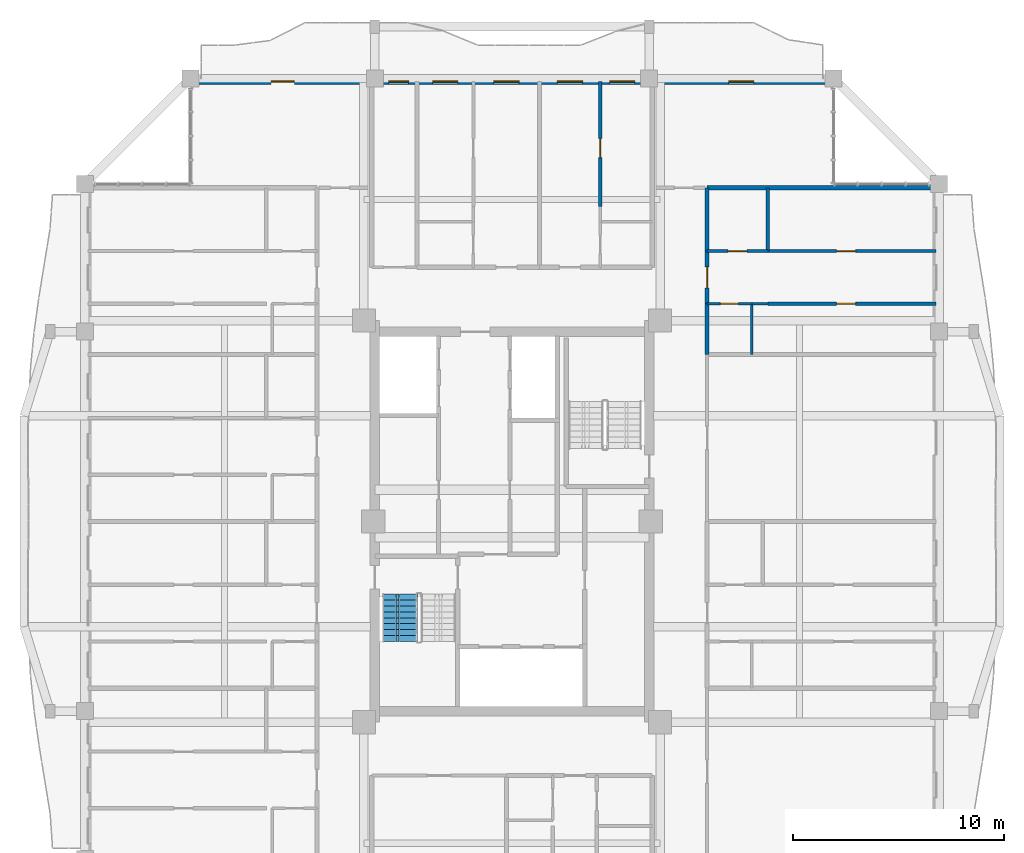
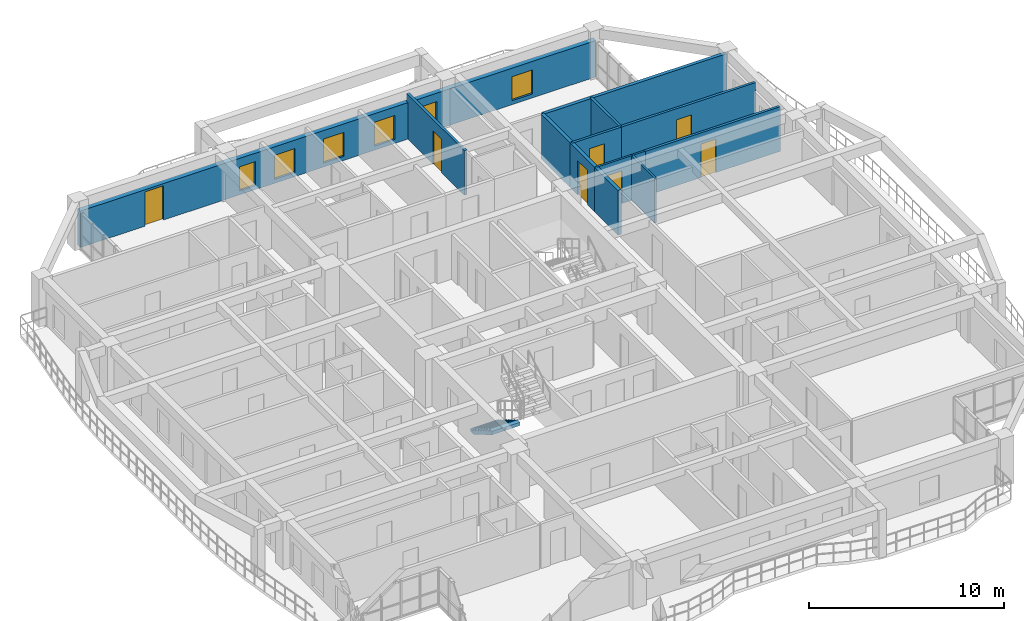
# One storey, part 15 of 21: 13 walls, 7 doors, 6 windows, 1 stair flight, 13 openings, 1 element without a shape of its own.
"""IFC4 building model written with IfcOpenShell, lengths in metres."""

from ifc_helpers import new_model, si_unit, direction, frame, frame_2d, origin, place, context, subcontext, project, spatial, polyline, rectangle, outline, extrude, source, transform, mapped, material, layer, layer_set, type_object, element, fill, aggregate, save


model = new_model("IFC4")

# Units and contexts
model_context = context("Model", 3, precision=1e-05, world=origin(), true_north=direction((0.0, 1.0)))
body_context = subcontext(model_context, "Body", "Model", "MODEL_VIEW")
ifc_project = project(units=[si_unit("LENGTHUNIT", "METRE"), si_unit("AREAUNIT", "SQUARE_METRE"), si_unit("VOLUMEUNIT", "CUBIC_METRE"), si_unit("PLANEANGLEUNIT", "RADIAN"), si_unit("MASSUNIT", "GRAM", prefix="KILO")], contexts=[model_context])

# Site, building, storey
site_placement = place(None, origin())
site = spatial("IfcSite", under=ifc_project, at=site_placement, CompositionType="ELEMENT")
building_placement = place(site_placement, origin())
building = spatial("IfcBuilding", under=site, at=building_placement, Name="Saelheon Loggia Tower", CompositionType="ELEMENT")
storey_placement = place(building_placement, frame((0.0, 0.0, 186.699951171875)))
storey = spatial("IfcBuildingStorey", under=building, at=storey_placement, Name="L58", CompositionType="ELEMENT", Elevation=186.699951171875)

# Wall, openings, windows, door
ifc_material_1 = material(Name="Architectural Precast Concrete C40/50", Category="concrete")
ifc_layer_1 = layer(ifc_material_1, 0.280029296875)
ifc_layer_set_1 = layer_set([ifc_layer_1], Name="Architectural Precast Concrete C40/50")
wall_type_1 = type_object("IfcWallType", Name="Wall_Ext_Loggia_280", PredefinedType="SOLIDWALL", material=ifc_layer_set_1)
wall_1_placement = place(storey_placement, frame((22.75, 47.860107421875, 0.0), z_axis=(0.0, 0.0, 1.0), x_axis=(1.0, 0.0, 0.0)))
wall_1 = element("IfcWall", 1, at=wall_1_placement, inside=storey, type_object=wall_type_1, Name="L58 North Loggia Inner Wall", PredefinedType="SOLIDWALL", context=body_context, shape_type="SweptSolid", body=[
    extrude(rectangle(XDim=30.5, YDim=0.280029296875, at=frame_2d((15.25, 0.0))), origin(), (0.0, 0.0, 1.0), 2.280029296875),
])
opening_1_placement = place(wall_1_placement, frame((3.824951171875, 0.0, 0.0)))
opening_1 = element("IfcOpeningElement", 2, at=opening_1_placement, cuts=wall_1, Name="Opening TD1", PredefinedType="OPENING", context=body_context, shape_type="SweptSolid", body=[
    extrude(rectangle(XDim=1.10009765625, YDim=2.14990234375, at=frame_2d((0.550048828125, 1.074951171875))), frame((0.0, 0.152099609375, 0.0), z_axis=(0.0, -1.0, 0.0), x_axis=(1.0, 0.0, 0.0)), (0.0, 0.0, 1.0), 0.303955078125),
])
opening_2_placement = place(wall_1_placement, frame((9.39501953125, 0.0, 0.25)))
opening_2 = element("IfcOpeningElement", 3, at=opening_2_placement, cuts=wall_1, Name="Opening WN-04", PredefinedType="OPENING", context=body_context, shape_type="SweptSolid", body=[
    extrude(rectangle(XDim=0.949951171875, YDim=1.5, at=frame_2d((0.47509765625, 0.75))), frame((0.0, 0.152099609375, 0.0), z_axis=(0.0, -1.0, 0.0), x_axis=(1.0, 0.0, 0.0)), (0.0, 0.0, 1.0), 0.303955078125),
])
opening_3_placement = place(wall_1_placement, frame((11.4833984375, 0.0, 0.25)))
opening_3 = element("IfcOpeningElement", 4, at=opening_3_placement, cuts=wall_1, Name="Opening WN-03", PredefinedType="OPENING", context=body_context, shape_type="SweptSolid", body=[
    extrude(rectangle(XDim=1.199951171875, YDim=1.5, at=frame_2d((0.60009765625, 0.75))), frame((0.0, 0.152099609375, 0.0), z_axis=(0.0, -1.0, 0.0), x_axis=(1.0, 0.0, 0.0)), (0.0, 0.0, 1.0), 0.303955078125),
])
opening_4_placement = place(wall_1_placement, frame((14.382568359375, 0.0, 0.25)))
opening_4 = element("IfcOpeningElement", 5, at=opening_4_placement, cuts=wall_1, Name="Opening WN-03", PredefinedType="OPENING", context=body_context, shape_type="SweptSolid", body=[
    extrude(rectangle(XDim=1.199951171875, YDim=1.5, at=frame_2d((0.60009765625, 0.75))), frame((0.0, 0.152099609375, 0.0), z_axis=(0.0, -1.0, 0.0), x_axis=(1.0, 0.0, 0.0)), (0.0, 0.0, 1.0), 0.303955078125),
])
opening_5_placement = place(wall_1_placement, frame((17.39306640625, 0.0, 0.25)))
opening_5 = element("IfcOpeningElement", 6, at=opening_5_placement, cuts=wall_1, Name="Opening WN-03", PredefinedType="OPENING", context=body_context, shape_type="SweptSolid", body=[
    extrude(rectangle(XDim=1.199951171875, YDim=1.5, at=frame_2d((0.60009765625, 0.75))), frame((0.0, 0.152099609375, 0.0), z_axis=(0.0, -1.0, 0.0), x_axis=(1.0, 0.0, 0.0)), (0.0, 0.0, 1.0), 0.303955078125),
])
opening_6_placement = place(wall_1_placement, frame((19.8740234375, 0.0, 0.25)))
opening_6 = element("IfcOpeningElement", 7, at=opening_6_placement, cuts=wall_1, Name="Opening WN-03", PredefinedType="OPENING", context=body_context, shape_type="SweptSolid", body=[
    extrude(rectangle(XDim=1.199951171875, YDim=1.5, at=frame_2d((0.60009765625, 0.75))), frame((0.0, 0.152099609375, 0.0), z_axis=(0.0, -1.0, 0.0), x_axis=(1.0, 0.0, 0.0)), (0.0, 0.0, 1.0), 0.303955078125),
])
opening_7_placement = place(wall_1_placement, frame((25.52490234375, 0.0, 0.25)))
opening_7 = element("IfcOpeningElement", 8, at=opening_7_placement, cuts=wall_1, Name="Opening WN-03", PredefinedType="OPENING", context=body_context, shape_type="SweptSolid", body=[
    extrude(rectangle(XDim=1.199951171875, YDim=1.5, at=frame_2d((0.60009765625, 0.75))), frame((0.0, 0.152099609375, 0.0), z_axis=(0.0, -1.0, 0.0), x_axis=(1.0, 0.0, 0.0)), (0.0, 0.0, 1.0), 0.303955078125),
])
ifc_material_2 = material(Name="Thermal-Break Aluminium and Triple Low-E Glass", Category="aluminium")
window_type_1 = type_object("IfcWindowType", Name="Win_Bedroom_1200x1500", PartitioningType="SINGLE_PANEL", PredefinedType="WINDOW", material=ifc_material_2)
shared_shape_1 = source(origin(), body_context, "Body", "SweptSolid", [
    extrude(rectangle(XDim=1.199951171875, YDim=1.5, at=frame_2d((0.60009765625, 0.75))), frame((0.0, 0.030029296875, 0.0), z_axis=(0.0, -1.0, 0.0), x_axis=(1.0, 0.0, 0.0)), (0.0, 0.0, 1.0), 0.06005859375),
])
window_1_placement = place(opening_3_placement, origin())
window_1 = element("IfcWindow", 9, at=window_1_placement, inside=storey, type_object=window_type_1, Name="L58 N Dwelling Window 3", OverallHeight=1.5, OverallWidth=1.199951171875, PartitioningType="SINGLE_PANEL", PredefinedType="WINDOW", context=body_context, shape_type="MappedRepresentation", body=[
    mapped(shared_shape_1, transform((0.0, 0.0, 0.0), scale=1.0)),
])
fill(opening_3, window_1)
window_2_placement = place(opening_4_placement, origin())
window_2 = element("IfcWindow", 10, at=window_2_placement, inside=storey, type_object=window_type_1, Name="L58 N Dwelling Window 4", OverallHeight=1.5, OverallWidth=1.199951171875, PartitioningType="SINGLE_PANEL", PredefinedType="WINDOW", context=body_context, shape_type="MappedRepresentation", body=[
    mapped(shared_shape_1, transform((0.0, 0.0, 0.0), scale=1.0)),
])
fill(opening_4, window_2)
window_3_placement = place(opening_5_placement, origin())
window_3 = element("IfcWindow", 11, at=window_3_placement, inside=storey, type_object=window_type_1, Name="L58 N Dwelling Window 5", OverallHeight=1.5, OverallWidth=1.199951171875, PartitioningType="SINGLE_PANEL", PredefinedType="WINDOW", context=body_context, shape_type="MappedRepresentation", body=[
    mapped(shared_shape_1, transform((0.0, 0.0, 0.0), scale=1.0)),
])
fill(opening_5, window_3)
window_4_placement = place(opening_6_placement, origin())
window_4 = element("IfcWindow", 12, at=window_4_placement, inside=storey, type_object=window_type_1, Name="L58 N Dwelling Window 6", OverallHeight=1.5, OverallWidth=1.199951171875, PartitioningType="SINGLE_PANEL", PredefinedType="WINDOW", context=body_context, shape_type="MappedRepresentation", body=[
    mapped(shared_shape_1, transform((0.0, 0.0, 0.0), scale=1.0)),
])
fill(opening_6, window_4)
window_5_placement = place(opening_7_placement, origin())
window_5 = element("IfcWindow", 13, at=window_5_placement, inside=storey, type_object=window_type_1, Name="L58 N Dwelling Window 7", OverallHeight=1.5, OverallWidth=1.199951171875, PartitioningType="SINGLE_PANEL", PredefinedType="WINDOW", context=body_context, shape_type="MappedRepresentation", body=[
    mapped(shared_shape_1, transform((0.0, 0.0, 0.0), scale=1.0)),
])
fill(opening_7, window_5)
ifc_material_3 = material(Name="Thermal-Break Aluminium Glazed Door", Category="aluminium")
door_type_1 = type_object("IfcDoorType", Name="Door_Terrace_TD1", OperationType="NOTDEFINED", PredefinedType="DOOR", material=ifc_material_3)
shared_shape_2 = source(origin(), body_context, "Body", "SweptSolid", [
    extrude(rectangle(XDim=1.10009765625, YDim=2.14990234375, at=frame_2d((0.550048828125, 1.074951171875))), frame((0.0, 0.02490234375, 0.0), z_axis=(0.0, -1.0, 0.0), x_axis=(1.0, 0.0, 0.0)), (0.0, 0.0, 1.0), 0.050048828125),
])
door_1_placement = place(opening_1_placement, origin())
door_1 = element("IfcDoor", 14, at=door_1_placement, inside=storey, type_object=door_type_1, Name="L58 N Loggia Access Door", OperationType="SINGLE_SWING_LEFT", OverallHeight=2.14990234375, OverallWidth=1.10009765625, PredefinedType="DOOR", context=body_context, shape_type="MappedRepresentation", body=[
    mapped(shared_shape_2, transform((0.0, 0.0, 0.0), scale=1.0)),
])
fill(opening_1, door_1)
window_type_2 = type_object("IfcWindowType", Name="Win_Narrow_950x1500", PartitioningType="SINGLE_PANEL", PredefinedType="WINDOW", material=ifc_material_2)
shared_shape_3 = source(origin(), body_context, "Body", "SweptSolid", [
    extrude(rectangle(XDim=0.949951171875, YDim=1.5, at=frame_2d((0.47509765625, 0.75))), frame((0.0, 0.030029296875, 0.0), z_axis=(0.0, -1.0, 0.0), x_axis=(1.0, 0.0, 0.0)), (0.0, 0.0, 1.0), 0.06005859375),
])
window_6_placement = place(opening_2_placement, origin())
window_6 = element("IfcWindow", 15, at=window_6_placement, inside=storey, type_object=window_type_2, Name="L58 N Dwelling Window 2", OverallHeight=1.5, OverallWidth=0.949951171875, PartitioningType="SINGLE_PANEL", PredefinedType="WINDOW", context=body_context, shape_type="MappedRepresentation", body=[
    mapped(shared_shape_3, transform((0.0, 0.0, 0.0), scale=1.0)),
])
fill(opening_2, window_6)

# Wall, opening, door
ifc_material_4 = material(Name="Lightweight Autoclaved Aerated Concrete Block and Acoustic Gypsum", Category="concrete")
ifc_layer_2 = layer(ifc_material_4, 0.14990234375)
ifc_layer_set_2 = layer_set([ifc_layer_2], Name="Lightweight Autoclaved Aerated Concrete Block and Acoustic Gypsum")
wall_type_2 = type_object("IfcWallType", Name="Wall_Part_150", PredefinedType="PARTITIONING", material=ifc_layer_set_2)
wall_2_placement = place(storey_placement, frame((42.18798828125, 41.929931640625, 0.0), z_axis=(0.0, 0.0, 1.0), x_axis=(0.0, 1.0, 0.0)))
wall_2 = element("IfcWall", 16, at=wall_2_placement, inside=storey, type_object=wall_type_2, Name="L58 N Partition U17", PredefinedType="PARTITIONING", context=body_context, shape_type="SweptSolid", body=[
    extrude(rectangle(XDim=5.920166015625, YDim=0.14990234375, at=frame_2d((2.9599609375, 0.0))), origin(), (0.0, 0.0, 1.0), 2.7900390625),
])
opening_8_placement = place(wall_2_placement, frame((2.32080078125, 0.0, 0.0)))
opening_8 = element("IfcOpeningElement", 17, at=opening_8_placement, cuts=wall_2, Name="Opening D-IN2", PredefinedType="OPENING", context=body_context, shape_type="SweptSolid", body=[
    extrude(rectangle(XDim=0.89990234375, YDim=2.10009765625, at=frame_2d((0.449951171875, 1.050048828125))), frame((0.0, 0.0869140625, 0.0), z_axis=(0.0, -1.0, 0.0), x_axis=(1.0, 0.0, 0.0)), (0.0, 0.0, 1.0), 0.173828125),
])
ifc_material_5 = material(Name="Engineered Oak Flush Door", Category="timber")
door_type_2 = type_object("IfcDoorType", Name="Door_Int_900", OperationType="NOTDEFINED", PredefinedType="DOOR", material=ifc_material_5)
shared_shape_4 = source(origin(), body_context, "Body", "SweptSolid", [
    extrude(rectangle(XDim=0.89990234375, YDim=2.10009765625, at=frame_2d((0.449951171875, 1.050048828125))), frame((0.0, 0.02490234375, 0.0), z_axis=(0.0, -1.0, 0.0), x_axis=(1.0, 0.0, 0.0)), (0.0, 0.0, 1.0), 0.050048828125),
])
door_2_placement = place(opening_8_placement, origin())
door_2 = element("IfcDoor", 18, at=door_2_placement, inside=storey, type_object=door_type_2, Name="Unit U03 Kitchen Door", OperationType="SINGLE_SWING_LEFT", OverallHeight=2.10009765625, OverallWidth=0.89990234375, PredefinedType="DOOR", context=body_context, shape_type="MappedRepresentation", body=[
    mapped(shared_shape_4, transform((0.0, 0.0, 0.0), scale=1.0)),
])
fill(opening_8, door_2)

# Wall
wall_3_placement = place(storey_placement, frame((50.1298828125, 39.814208984375, 0.0), z_axis=(0.0, 0.0, 1.0), x_axis=(0.0, 1.0, 0.0)))
element("IfcWall", 19, at=wall_3_placement, inside=storey, type_object=wall_type_2, Name="L58 E Partition V22", PredefinedType="PARTITIONING", context=body_context, shape_type="SweptSolid", body=[
    extrude(rectangle(XDim=3.005859375, YDim=0.14990234375, at=frame_2d((1.5029296875, 0.0))), origin(), (0.0, 0.0, 1.0), 2.7900390625),
])

# Wall, opening, door
wall_4_placement = place(storey_placement, frame((50.1298828125, 37.320068359375, 0.0), z_axis=(0.0, 0.0, 1.0), x_axis=(1.0, 0.0, 0.0)))
wall_4 = element("IfcWall", 20, at=wall_4_placement, inside=storey, type_object=wall_type_2, Name="L58 E Partition U25", PredefinedType="PARTITIONING", context=body_context, shape_type="SweptSolid", body=[
    extrude(rectangle(XDim=7.97021484375, YDim=0.14990234375, at=frame_2d((3.985107421875, 0.0))), origin(), (0.0, 0.0, 1.0), 2.7900390625),
])
opening_9_placement = place(wall_4_placement, frame((3.260498046875, 0.0, 0.0)))
opening_9 = element("IfcOpeningElement", 21, at=opening_9_placement, cuts=wall_4, Name="Opening D-IN2", PredefinedType="OPENING", context=body_context, shape_type="SweptSolid", body=[
    extrude(rectangle(XDim=0.89990234375, YDim=2.10009765625, at=frame_2d((0.449951171875, 1.050048828125))), frame((0.0, 0.0869140625, 0.0), z_axis=(0.0, -1.0, 0.0), x_axis=(1.0, 0.0, 0.0)), (0.0, 0.0, 1.0), 0.173828125),
])
door_3_placement = place(opening_9_placement, origin())
door_3 = element("IfcDoor", 22, at=door_3_placement, inside=storey, type_object=door_type_2, Name="Unit U09 Kitchen Door", OperationType="SINGLE_SWING_LEFT", OverallHeight=2.10009765625, OverallWidth=0.89990234375, PredefinedType="DOOR", context=body_context, shape_type="MappedRepresentation", body=[
    mapped(shared_shape_4, transform((0.0, 0.0, 0.0), scale=1.0)),
])
fill(opening_9, door_3)

wall_5_placement = place(storey_placement, frame((47.25, 39.814208984375, 0.0), z_axis=(0.0, 0.0, 1.0), x_axis=(1.0, 0.0, 0.0)))
wall_5 = element("IfcWall", 23, at=wall_5_placement, inside=storey, type_object=wall_type_2, Name="L58 E Partition U26", PredefinedType="PARTITIONING", context=body_context, shape_type="SweptSolid", body=[
    extrude(rectangle(XDim=2.8798828125, YDim=0.14990234375, at=frame_2d((1.43994140625, 0.0))), origin(), (0.0, 0.0, 1.0), 2.7900390625),
])
opening_10_placement = place(wall_5_placement, frame((0.989990234375, 0.0, 0.0)))
opening_10 = element("IfcOpeningElement", 24, at=opening_10_placement, cuts=wall_5, Name="Opening D-IN2", PredefinedType="OPENING", context=body_context, shape_type="SweptSolid", body=[
    extrude(rectangle(XDim=0.89990234375, YDim=2.10009765625, at=frame_2d((0.449951171875, 1.050048828125))), frame((0.0, 0.0869140625, 0.0), z_axis=(0.0, -1.0, 0.0), x_axis=(1.0, 0.0, 0.0)), (0.0, 0.0, 1.0), 0.173828125),
])
door_4_placement = place(opening_10_placement, origin())
door_4 = element("IfcDoor", 25, at=door_4_placement, inside=storey, type_object=door_type_2, Name="Unit U09 Dressing Closet Door", OperationType="SINGLE_SWING_RIGHT", OverallHeight=2.10009765625, OverallWidth=0.89990234375, PredefinedType="DOOR", context=body_context, shape_type="MappedRepresentation", body=[
    mapped(shared_shape_4, transform((0.0, 0.0, 0.0), scale=1.0)),
])
fill(opening_10, door_4)

wall_6_placement = place(storey_placement, frame((50.1298828125, 39.814208984375, 0.0), z_axis=(0.0, 0.0, 1.0), x_axis=(1.0, 0.0, 0.0)))
wall_6 = element("IfcWall", 26, at=wall_6_placement, inside=storey, type_object=wall_type_2, Name="L58 E Partition U27", PredefinedType="PARTITIONING", context=body_context, shape_type="SweptSolid", body=[
    extrude(rectangle(XDim=7.97021484375, YDim=0.14990234375, at=frame_2d((3.985107421875, 0.0))), origin(), (0.0, 0.0, 1.0), 2.7900390625),
])
opening_11_placement = place(wall_6_placement, frame((3.260498046875, 0.0, 0.0)))
opening_11 = element("IfcOpeningElement", 27, at=opening_11_placement, cuts=wall_6, Name="Opening D-IN2", PredefinedType="OPENING", context=body_context, shape_type="SweptSolid", body=[
    extrude(rectangle(XDim=0.89990234375, YDim=2.10009765625, at=frame_2d((0.449951171875, 1.050048828125))), frame((0.0, 0.0869140625, 0.0), z_axis=(0.0, -1.0, 0.0), x_axis=(1.0, 0.0, 0.0)), (0.0, 0.0, 1.0), 0.173828125),
])
door_5_placement = place(opening_11_placement, origin())
door_5 = element("IfcDoor", 28, at=door_5_placement, inside=storey, type_object=door_type_2, Name="Unit U09 Bedroom 1 Door", OperationType="SINGLE_SWING_LEFT", OverallHeight=2.10009765625, OverallWidth=0.89990234375, PredefinedType="DOOR", context=body_context, shape_type="MappedRepresentation", body=[
    mapped(shared_shape_4, transform((0.0, 0.0, 0.0), scale=1.0)),
])
fill(opening_11, door_5)

# Walls
ifc_material_6 = material(Name="Double Acoustic Stud and Fireboard Partition", Category="gypsum")
ifc_layer_3 = layer(ifc_material_6, 0.199951171875)
ifc_layer_set_3 = layer_set([ifc_layer_3], Name="Double Acoustic Stud and Fireboard Partition")
wall_type_3 = type_object("IfcWallType", Name="Wall_Party_200", PredefinedType="PARTITIONING", material=ifc_layer_set_3)
wall_7_placement = place(storey_placement, frame((47.25, 42.820068359375, 0.0), z_axis=(0.0, 0.0, 1.0), x_axis=(1.0, 0.0, 0.0)))
element("IfcWall", 29, at=wall_7_placement, inside=storey, type_object=wall_type_3, Name="L58 E Partition U02", PredefinedType="PARTITIONING", context=body_context, shape_type="SweptSolid", body=[
    extrude(rectangle(XDim=10.85009765625, YDim=0.199951171875, at=frame_2d((5.425048828125, 0.0))), origin(), (0.0, 0.0, 1.0), 2.7900390625),
])
wall_8_placement = place(storey_placement, frame((47.25, 34.909912109375, 0.0), z_axis=(0.0, 0.0, 1.0), x_axis=(0.0, 1.0, 0.0)))
element("IfcWall", 30, at=wall_8_placement, inside=storey, type_object=wall_type_3, Name="L58 E Partition V18", PredefinedType="PARTITIONING", context=body_context, shape_type="SweptSolid", body=[
    extrude(rectangle(XDim=2.41015625, YDim=0.199951171875, at=frame_2d((1.205078125, 0.0))), origin(), (0.0, 0.0, 1.0), 2.7900390625),
])

# Wall, opening, door
wall_9_placement = place(storey_placement, frame((47.25, 37.320068359375, 0.0), z_axis=(0.0, 0.0, 1.0), x_axis=(0.0, 1.0, 0.0)))
wall_9 = element("IfcWall", 31, at=wall_9_placement, inside=storey, type_object=wall_type_3, Name="L58 E Partition V19", PredefinedType="PARTITIONING", context=body_context, shape_type="SweptSolid", body=[
    extrude(rectangle(XDim=2.494140625, YDim=0.199951171875, at=frame_2d((1.2470703125, 0.0))), origin(), (0.0, 0.0, 1.0), 2.7900390625),
])
opening_12_placement = place(wall_9_placement, frame((0.7470703125, 0.0, 0.0)))
opening_12 = element("IfcOpeningElement", 32, at=opening_12_placement, cuts=wall_9, Name="Opening D-FD1", PredefinedType="OPENING", context=body_context, shape_type="SweptSolid", body=[
    extrude(rectangle(XDim=1.0, YDim=2.14990234375, at=frame_2d((0.5, 1.074951171875))), frame((0.0, 0.112060546875, 0.0), z_axis=(0.0, -1.0, 0.0), x_axis=(1.0, 0.0, 0.0)), (0.0, 0.0, 1.0), 0.223876953125),
])
ifc_material_7 = material(Name="Fire-Rated Engineered Timber Entrance Door", Category="wood")
door_type_3 = type_object("IfcDoorType", Name="Door_Flat_FD30S", OperationType="NOTDEFINED", PredefinedType="DOOR", material=ifc_material_7)
shared_shape_5 = source(origin(), body_context, "Body", "SweptSolid", [
    extrude(rectangle(XDim=1.0, YDim=2.14990234375, at=frame_2d((0.5, 1.074951171875))), frame((0.0, 0.02490234375, 0.0), z_axis=(0.0, -1.0, 0.0), x_axis=(1.0, 0.0, 0.0)), (0.0, 0.0, 1.0), 0.050048828125),
])
door_6_placement = place(opening_12_placement, origin())
door_6 = element("IfcDoor", 33, at=door_6_placement, inside=storey, type_object=door_type_3, Name="Unit U09 Entrance Door", OperationType="SINGLE_SWING_LEFT", OverallHeight=2.14990234375, OverallWidth=1.0, PredefinedType="DOOR", context=body_context, shape_type="MappedRepresentation", body=[
    mapped(shared_shape_5, transform((0.0, 0.0, 0.0), scale=1.0)),
])
fill(opening_12, door_6)

# Walls
wall_10_placement = place(storey_placement, frame((47.25, 39.814208984375, 0.0), z_axis=(0.0, 0.0, 1.0), x_axis=(0.0, 1.0, 0.0)))
element("IfcWall", 34, at=wall_10_placement, inside=storey, type_object=wall_type_3, Name="L58 E Partition V20", PredefinedType="PARTITIONING", context=body_context, shape_type="SweptSolid", body=[
    extrude(rectangle(XDim=3.005859375, YDim=0.199951171875, at=frame_2d((1.5029296875, 0.0))), origin(), (0.0, 0.0, 1.0), 2.7900390625),
])
ifc_material_8 = material(Name="Moisture-Resistant Cement Board Partition", Category="gypsum")
ifc_layer_4 = layer(ifc_material_8, 0.1201171875)
ifc_layer_set_4 = layer_set([ifc_layer_4], Name="Moisture-Resistant Cement Board Partition")
wall_type_4 = type_object("IfcWallType", Name="Wall_WetPart_120", PredefinedType="PARTITIONING", material=ifc_layer_set_4)
wall_11_placement = place(storey_placement, frame((49.3701171875, 34.909912109375, 0.0), z_axis=(0.0, 0.0, 1.0), x_axis=(0.0, 1.0, 0.0)))
element("IfcWall", 35, at=wall_11_placement, inside=storey, type_object=wall_type_4, Name="L58 E Partition V21", PredefinedType="PARTITIONING", context=body_context, shape_type="SweptSolid", body=[
    extrude(rectangle(XDim=2.41015625, YDim=0.1201171875, at=frame_2d((1.205078125, 0.0))), origin(), (0.0, 0.0, 1.0), 2.7900390625),
])

# Wall, opening, door
wall_12_placement = place(storey_placement, frame((47.25, 37.320068359375, 0.0), z_axis=(0.0, 0.0, 1.0), x_axis=(1.0, 0.0, 0.0)))
wall_12 = element("IfcWall", 36, at=wall_12_placement, inside=storey, type_object=wall_type_4, Name="L58 E Partition U23", PredefinedType="PARTITIONING", context=body_context, shape_type="SweptSolid", body=[
    extrude(rectangle(XDim=2.1201171875, YDim=0.1201171875, at=frame_2d((1.06005859375, 0.0))), origin(), (0.0, 0.0, 1.0), 2.7900390625),
])
opening_13_placement = place(wall_12_placement, frame((0.635009765625, 0.0, 0.0)))
opening_13 = element("IfcOpeningElement", 37, at=opening_13_placement, cuts=wall_12, Name="Opening D-BT1", PredefinedType="OPENING", context=body_context, shape_type="SweptSolid", body=[
    extrude(rectangle(XDim=0.85009765625, YDim=2.050048828125, at=frame_2d((0.425048828125, 1.02490234375))), frame((0.0, 0.072021484375, 0.0), z_axis=(0.0, -1.0, 0.0), x_axis=(1.0, 0.0, 0.0)), (0.0, 0.0, 1.0), 0.14404296875),
])
ifc_material_9 = material(Name="Moisture-Resistant Laminate Timber Door", Category="wood")
door_type_4 = type_object("IfcDoorType", Name="Door_Bath_850", OperationType="NOTDEFINED", PredefinedType="DOOR", material=ifc_material_9)
shared_shape_6 = source(origin(), body_context, "Body", "SweptSolid", [
    extrude(rectangle(XDim=0.85009765625, YDim=2.050048828125, at=frame_2d((0.425048828125, 1.02490234375))), frame((0.0, 0.02490234375, 0.0), z_axis=(0.0, -1.0, 0.0), x_axis=(1.0, 0.0, 0.0)), (0.0, 0.0, 1.0), 0.050048828125),
])
door_7_placement = place(opening_13_placement, origin())
door_7 = element("IfcDoor", 38, at=door_7_placement, inside=storey, type_object=door_type_4, Name="Unit U09 Bathroom Door", OperationType="SINGLE_SWING_RIGHT", OverallHeight=2.050048828125, OverallWidth=0.85009765625, PredefinedType="DOOR", context=body_context, shape_type="MappedRepresentation", body=[
    mapped(shared_shape_6, transform((0.0, 0.0, 0.0), scale=1.0)),
])
fill(opening_13, door_7)

# Wall
wall_13_placement = place(storey_placement, frame((49.3701171875, 37.320068359375, 0.0), z_axis=(0.0, 0.0, 1.0), x_axis=(1.0, 0.0, 0.0)))
element("IfcWall", 39, at=wall_13_placement, inside=storey, type_object=wall_type_4, Name="L58 E Partition U24", PredefinedType="PARTITIONING", context=body_context, shape_type="SweptSolid", body=[
    extrude(rectangle(XDim=0.759765625, YDim=0.1201171875, at=frame_2d((0.3798828125, 0.0))), origin(), (0.0, 0.0, 1.0), 2.7900390625),
])

# Stair, stair flight
ifc_material_10 = material(Name="Concrete C40/50", Category="concrete")
stair_type = type_object("IfcStairType", Name="Stair_Escape_Core", PredefinedType="HALF_TURN_STAIR", material=ifc_material_10)
stair_placement = place(storey_placement, origin())
stair = element("IfcStair", 40, at=stair_placement, inside=storey, type_object=stair_type, Name="L58 Special Escape Stair ST1", PredefinedType="HALF_TURN_STAIR")
stair_flight_type = type_object("IfcStairFlightType", Name="StairFlight_Tower_1660", PredefinedType="STRAIGHT", material=ifc_material_10)
stair_flight_placement = place(storey_placement, frame((32.679931640625, 23.550048828125, 0.0), z_axis=(0.0, 0.0, 1.0), x_axis=(0.0, -1.0, 0.0)))
stair_flight = element("IfcStairFlight", 41, at=stair_flight_placement, type_object=stair_flight_type, Name="ST1 flight 1", NumberOfRisers=9, NumberOfTreads=8, PredefinedType="STRAIGHT", RiserHeight=0.166666667, TreadLength=0.28, context=body_context, shape_type="SweptSolid", body=[
    extrude(outline(polyline([(0.0, 0.0), (0.0, 0.166748046875), (0.280029296875, 0.166748046875), (0.280029296875, 0.333251953125), (0.56005859375, 0.333251953125), (0.56005859375, 0.5), (0.840087890625, 0.5), (0.840087890625, 0.666748046875), (1.1201171875, 0.666748046875), (1.1201171875, 0.833251953125), (1.39990234375, 0.833251953125), (1.39990234375, 1.0), (1.679931640625, 1.0), (1.679931640625, 1.166748046875), (1.9599609375, 1.166748046875), (1.9599609375, 1.333251953125), (2.239990234375, 1.333251953125), (2.239990234375, 1.5), (2.239990234375, 1.1240234375), (0.351806640625, 0.0), (0.0, 0.0)])), frame((0.0, -0.2490234375, 0.0), z_axis=(0.0, -1.0, 0.0), x_axis=(1.0, 0.0, 0.0)), (0.0, 0.0, 1.0), 0.5810546875),
    extrude(outline(polyline([(0.0, 0.0), (0.0, 0.166748046875), (0.280029296875, 0.166748046875), (0.280029296875, 0.333251953125), (0.56005859375, 0.333251953125), (0.56005859375, 0.5), (0.840087890625, 0.5), (0.840087890625, 0.666748046875), (1.1201171875, 0.666748046875), (1.1201171875, 0.833251953125), (1.39990234375, 0.833251953125), (1.39990234375, 1.0), (1.679931640625, 1.0), (1.679931640625, 1.166748046875), (1.9599609375, 1.166748046875), (1.9599609375, 1.333251953125), (2.239990234375, 1.333251953125), (2.239990234375, 1.5), (2.239990234375, 1.1240234375), (0.351806640625, 0.0), (0.0, 0.0)])), frame((0.0, -0.194091796875, 0.0), z_axis=(0.0, -1.0, 0.0), x_axis=(1.0, 0.0, 0.0)), (0.0, 0.0, 1.0), 0.0498046875),
    extrude(outline(polyline([(0.0, 0.0), (0.0, 0.166748046875), (0.280029296875, 0.166748046875), (0.280029296875, 0.333251953125), (0.56005859375, 0.333251953125), (0.56005859375, 0.5), (0.840087890625, 0.5), (0.840087890625, 0.666748046875), (1.1201171875, 0.666748046875), (1.1201171875, 0.833251953125), (1.39990234375, 0.833251953125), (1.39990234375, 1.0), (1.679931640625, 1.0), (1.679931640625, 1.166748046875), (1.9599609375, 1.166748046875), (1.9599609375, 1.333251953125), (2.239990234375, 1.333251953125), (2.239990234375, 1.5), (2.239990234375, 1.1240234375), (0.351806640625, 0.0), (0.0, 0.0)])), frame((0.0, -0.139404296875, 0.0), z_axis=(0.0, -1.0, 0.0), x_axis=(1.0, 0.0, 0.0)), (0.0, 0.0, 1.0), 0.0498046875),
    extrude(outline(polyline([(0.0, 0.0), (0.0, 0.166748046875), (0.280029296875, 0.166748046875), (0.280029296875, 0.333251953125), (0.56005859375, 0.333251953125), (0.56005859375, 0.5), (0.840087890625, 0.5), (0.840087890625, 0.666748046875), (1.1201171875, 0.666748046875), (1.1201171875, 0.833251953125), (1.39990234375, 0.833251953125), (1.39990234375, 1.0), (1.679931640625, 1.0), (1.679931640625, 1.166748046875), (1.9599609375, 1.166748046875), (1.9599609375, 1.333251953125), (2.239990234375, 1.333251953125), (2.239990234375, 1.5), (2.239990234375, 1.1240234375), (0.351806640625, 0.0), (0.0, 0.0)])), frame((0.0, -0.084716796875, 0.0), z_axis=(0.0, -1.0, 0.0), x_axis=(1.0, 0.0, 0.0)), (0.0, 0.0, 1.0), 0.0498046875),
    extrude(outline(polyline([(0.0, 0.0), (0.0, 0.166748046875), (0.280029296875, 0.166748046875), (0.280029296875, 0.333251953125), (0.56005859375, 0.333251953125), (0.56005859375, 0.5), (0.840087890625, 0.5), (0.840087890625, 0.666748046875), (1.1201171875, 0.666748046875), (1.1201171875, 0.833251953125), (1.39990234375, 0.833251953125), (1.39990234375, 1.0), (1.679931640625, 1.0), (1.679931640625, 1.166748046875), (1.9599609375, 1.166748046875), (1.9599609375, 1.333251953125), (2.239990234375, 1.333251953125), (2.239990234375, 1.5), (2.239990234375, 1.1240234375), (0.351806640625, 0.0), (0.0, 0.0)])), frame((0.0, -0.02978515625, 0.0), z_axis=(0.0, -1.0, 0.0), x_axis=(1.0, 0.0, 0.0)), (0.0, 0.0, 1.0), 0.0498046875),
    extrude(outline(polyline([(0.0, 0.0), (0.0, 0.166748046875), (0.280029296875, 0.166748046875), (0.280029296875, 0.333251953125), (0.56005859375, 0.333251953125), (0.56005859375, 0.5), (0.840087890625, 0.5), (0.840087890625, 0.666748046875), (1.1201171875, 0.666748046875), (1.1201171875, 0.833251953125), (1.39990234375, 0.833251953125), (1.39990234375, 1.0), (1.679931640625, 1.0), (1.679931640625, 1.166748046875), (1.9599609375, 1.166748046875), (1.9599609375, 1.333251953125), (2.239990234375, 1.333251953125), (2.239990234375, 1.5), (2.239990234375, 1.1240234375), (0.351806640625, 0.0), (0.0, 0.0)])), frame((0.0, 0.02490234375, 0.0), z_axis=(0.0, -1.0, 0.0), x_axis=(1.0, 0.0, 0.0)), (0.0, 0.0, 1.0), 0.0498046875),
    extrude(outline(polyline([(0.0, 0.0), (0.0, 0.166748046875), (0.280029296875, 0.166748046875), (0.280029296875, 0.333251953125), (0.56005859375, 0.333251953125), (0.56005859375, 0.5), (0.840087890625, 0.5), (0.840087890625, 0.666748046875), (1.1201171875, 0.666748046875), (1.1201171875, 0.833251953125), (1.39990234375, 0.833251953125), (1.39990234375, 1.0), (1.679931640625, 1.0), (1.679931640625, 1.166748046875), (1.9599609375, 1.166748046875), (1.9599609375, 1.333251953125), (2.239990234375, 1.333251953125), (2.239990234375, 1.5), (2.239990234375, 1.1240234375), (0.351806640625, 0.0), (0.0, 0.0)])), frame((0.0, 0.07958984375, 0.0), z_axis=(0.0, -1.0, 0.0), x_axis=(1.0, 0.0, 0.0)), (0.0, 0.0, 1.0), 0.0498046875),
    extrude(outline(polyline([(0.0, 0.0), (0.0, 0.166748046875), (0.280029296875, 0.166748046875), (0.280029296875, 0.333251953125), (0.56005859375, 0.333251953125), (0.56005859375, 0.5), (0.840087890625, 0.5), (0.840087890625, 0.666748046875), (1.1201171875, 0.666748046875), (1.1201171875, 0.833251953125), (1.39990234375, 0.833251953125), (1.39990234375, 1.0), (1.679931640625, 1.0), (1.679931640625, 1.166748046875), (1.9599609375, 1.166748046875), (1.9599609375, 1.333251953125), (2.239990234375, 1.333251953125), (2.239990234375, 1.5), (2.239990234375, 1.1240234375), (0.351806640625, 0.0), (0.0, 0.0)])), frame((0.0, 0.134521484375, 0.0), z_axis=(0.0, -1.0, 0.0), x_axis=(1.0, 0.0, 0.0)), (0.0, 0.0, 1.0), 0.0498046875),
    extrude(outline(polyline([(0.0, 0.0), (0.0, 0.166748046875), (0.280029296875, 0.166748046875), (0.280029296875, 0.333251953125), (0.56005859375, 0.333251953125), (0.56005859375, 0.5), (0.840087890625, 0.5), (0.840087890625, 0.666748046875), (1.1201171875, 0.666748046875), (1.1201171875, 0.833251953125), (1.39990234375, 0.833251953125), (1.39990234375, 1.0), (1.679931640625, 1.0), (1.679931640625, 1.166748046875), (1.9599609375, 1.166748046875), (1.9599609375, 1.333251953125), (2.239990234375, 1.333251953125), (2.239990234375, 1.5), (2.239990234375, 1.1240234375), (0.351806640625, 0.0), (0.0, 0.0)])), frame((0.0, 0.189208984375, 0.0), z_axis=(0.0, -1.0, 0.0), x_axis=(1.0, 0.0, 0.0)), (0.0, 0.0, 1.0), 0.0498046875),
    extrude(outline(polyline([(0.0, 0.0), (0.0, 0.166748046875), (0.280029296875, 0.166748046875), (0.280029296875, 0.333251953125), (0.56005859375, 0.333251953125), (0.56005859375, 0.5), (0.840087890625, 0.5), (0.840087890625, 0.666748046875), (1.1201171875, 0.666748046875), (1.1201171875, 0.833251953125), (1.39990234375, 0.833251953125), (1.39990234375, 1.0), (1.679931640625, 1.0), (1.679931640625, 1.166748046875), (1.9599609375, 1.166748046875), (1.9599609375, 1.333251953125), (2.239990234375, 1.333251953125), (2.239990234375, 1.5), (2.239990234375, 1.1240234375), (0.351806640625, 0.0), (0.0, 0.0)])), frame((0.0, 0.243896484375, 0.0), z_axis=(0.0, -1.0, 0.0), x_axis=(1.0, 0.0, 0.0)), (0.0, 0.0, 1.0), 0.0498046875),
    extrude(outline(polyline([(0.0, 0.0), (0.0, 0.166748046875), (0.280029296875, 0.166748046875), (0.280029296875, 0.333251953125), (0.56005859375, 0.333251953125), (0.56005859375, 0.5), (0.840087890625, 0.5), (0.840087890625, 0.666748046875), (1.1201171875, 0.666748046875), (1.1201171875, 0.833251953125), (1.39990234375, 0.833251953125), (1.39990234375, 1.0), (1.679931640625, 1.0), (1.679931640625, 1.166748046875), (1.9599609375, 1.166748046875), (1.9599609375, 1.333251953125), (2.239990234375, 1.333251953125), (2.239990234375, 1.5), (2.239990234375, 1.1240234375), (0.351806640625, 0.0), (0.0, 0.0)])), frame((0.0, 0.830078125, 0.0), z_axis=(0.0, -1.0, 0.0), x_axis=(1.0, 0.0, 0.0)), (0.0, 0.0, 1.0), 0.5810546875),
])
aggregate(stair, [stair_flight])

save(model, "model.ifc")
